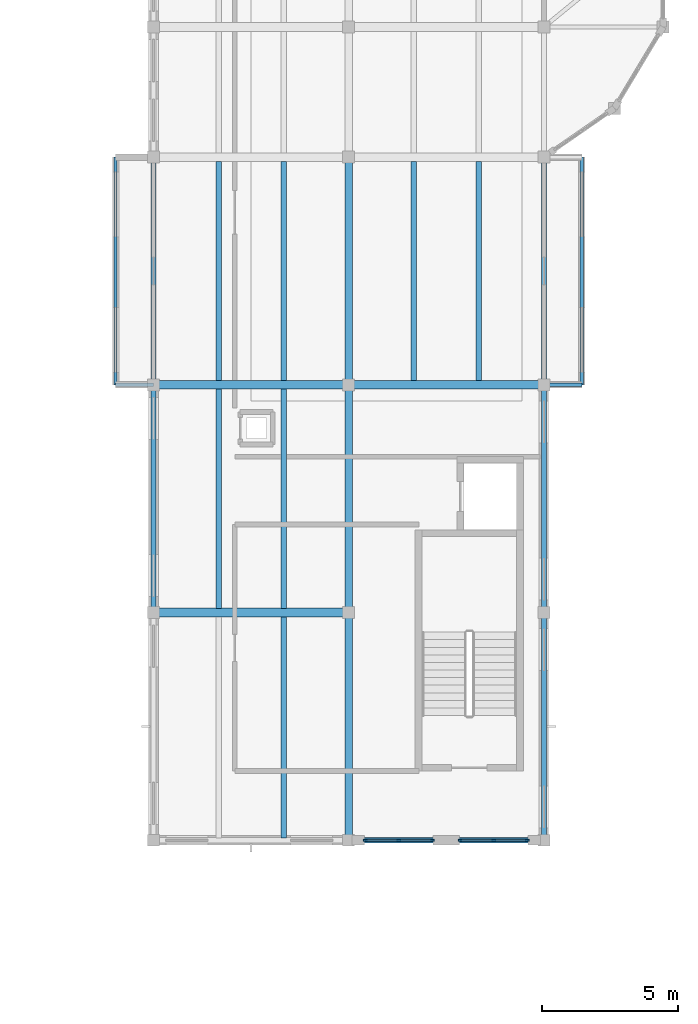
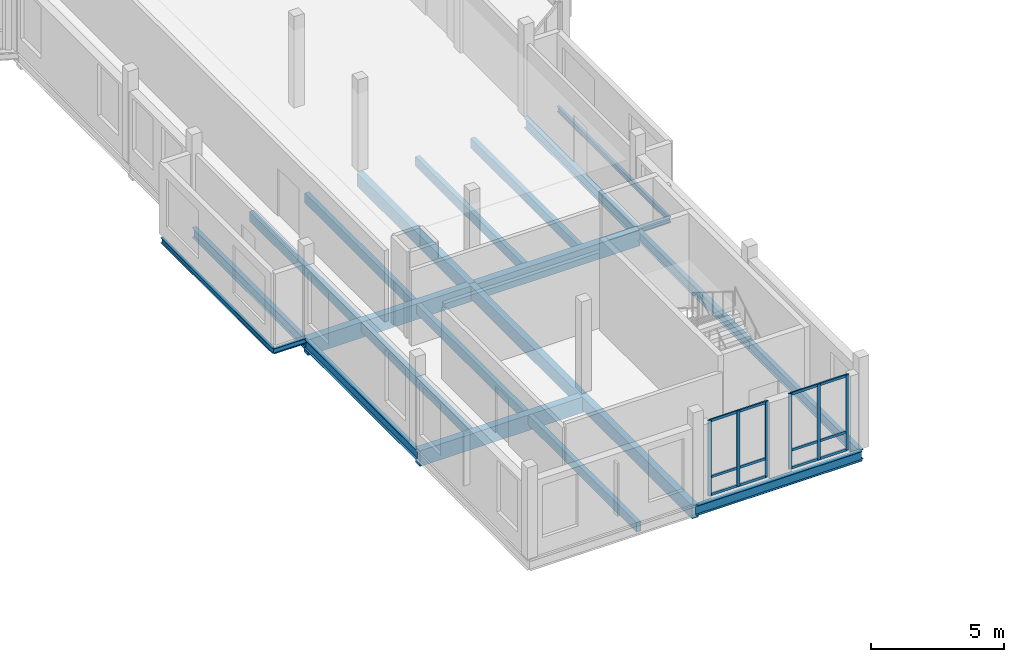
# One storey, part 18 of 81: 23 beams, 12 members, 2 elements without a shape of their own.
"""IFC4 building model written with IfcOpenShell, lengths in metres."""

import ifcopenshell
import ifcopenshell.guid

model = None  # the IFC model being written
_history = None  # IfcOwnerHistory: only IFC2X3 demands one
_inside = {}  # id of a spatial element -> (the spatial element, [elements in it])
_under = {}  # id of a project, library or spatial element -> (it, [spatial elements below it])
_declared = {}  # id of a project -> (the project, [libraries it declares])
_typed = {}  # id of a type object -> (the type object, [elements of that type])
_made_of = {}  # id of a material, layer set ... -> (it, [elements and type objects made of it])


def new_model(schema):
    """Start an empty IFC model of exactly this schema.

    Asked for "IFC4X3", IfcOpenShell would pick the latest addendum, in which some entities
    have other attributes; the version numbers below select the first issue.
    IFC2X3 requires an IfcOwnerHistory on every rooted entity: one is made here for all.
    """
    global model, _history
    if schema == "IFC4X3":
        model = ifcopenshell.file(schema_version=(4, 3, 0, 0))
    else:
        model = ifcopenshell.file(schema=schema)
    _inside.clear()
    _under.clear()
    _declared.clear()
    _typed.clear()
    _made_of.clear()
    _history = None
    if model.schema == "IFC2X3":
        org = make("IfcOrganization", Name="unknown")
        user = make(
            "IfcPersonAndOrganization",
            ThePerson=make("IfcPerson", FamilyName="unknown"),
            TheOrganization=org,
        )
        app = make(
            "IfcApplication",
            ApplicationDeveloper=org,
            Version="unknown",
            ApplicationFullName="unknown",
            ApplicationIdentifier="unknown",
        )
        _history = make(
            "IfcOwnerHistory",
            OwningUser=user,
            OwningApplication=app,
            ChangeAction="ADDED",
            CreationDate=0,
        )
    return model


def make(cls, **values):
    """One entity of the class cls with the attributes given. An attribute that is None is left unset."""
    return model.create_entity(
        cls, **{name: value for name, value in values.items() if value is not None}
    )


def rooted(cls, **values):
    """An entity with a GlobalId (a new one), such as an element, a storey or a relation."""
    return make(cls, GlobalId=ifcopenshell.guid.new(), OwnerHistory=_history, **values)


def si_unit(unit_type, name, prefix=None):
    """IfcSIUnit, for example si_unit("LENGTHUNIT", "METRE", prefix="MILLI")."""
    return make("IfcSIUnit", UnitType=unit_type, Prefix=prefix, Name=name)


def assignment(units):
    """IfcUnitAssignment: the units of a project."""
    return None if units is None else make("IfcUnitAssignment", Units=units)


def point(xyz):
    """IfcCartesianPoint."""
    return None if xyz is None else make("IfcCartesianPoint", Coordinates=xyz)


def direction(xyz):
    """IfcDirection."""
    return None if xyz is None else make("IfcDirection", DirectionRatios=xyz)


def frame(location, z_axis=None, x_axis=None):
    """IfcAxis2Placement3D, a coordinate frame: its origin and axes. An axis left out is left unset."""
    return make(
        "IfcAxis2Placement3D",
        Location=point(location),
        Axis=direction(z_axis),
        RefDirection=direction(x_axis),
    )


def frame_2d(location, x_axis=None):
    """IfcAxis2Placement2D, a coordinate frame in the plane: its origin and x axis."""
    return make(
        "IfcAxis2Placement2D", Location=point(location), RefDirection=direction(x_axis)
    )


def origin():
    """The frame at (0, 0, 0) with its axes left unset."""
    return frame((0.0, 0.0, 0.0))


def origin_2d():
    """The frame at (0, 0) in the plane with its x axis left unset."""
    return frame_2d((0.0, 0.0))


def place(relative_to, where):
    """IfcLocalPlacement: puts the frame where relative to a parent placement (None: the world)."""
    return make(
        "IfcLocalPlacement", PlacementRelTo=relative_to, RelativePlacement=where
    )


def context(
    kind, dimensions, precision=None, world=None, true_north=None, identifier=None
):
    """IfcGeometricRepresentationContext, for example the 3D "Model" context."""
    return make(
        "IfcGeometricRepresentationContext",
        ContextIdentifier=identifier,
        ContextType=kind,
        CoordinateSpaceDimension=dimensions,
        Precision=precision,
        WorldCoordinateSystem=world,
        TrueNorth=true_north,
    )


def subcontext(parent, identifier, kind, view, scale=None):
    """IfcGeometricRepresentationSubContext, for example "Body" below "Model"."""
    return make(
        "IfcGeometricRepresentationSubContext",
        ContextIdentifier=identifier,
        ContextType=kind,
        ParentContext=parent,
        TargetScale=scale,
        TargetView=view,
    )


def project(units=None, contexts=None):
    """IfcProject with its units and contexts."""
    return rooted(
        "IfcProject",
        Name="project",
        RepresentationContexts=contexts,
        UnitsInContext=assignment(units),
    )


def spatial(cls, under=None, at=None, **own):
    """A site, building, storey or space (cls), placed at a placement, below another one or the project."""
    s = rooted(cls, ObjectPlacement=at, **own)
    if under is not None:
        _under.setdefault(under.id(), (under, []))[1].append(s)
    return s


def profile(cls, at=None, kind="AREA", **sizes):
    """A parametric profile (cls). Its sizes go by their IFC names, for example OverallWidth=200.0."""
    return make(cls, ProfileType=kind, Position=at, **sizes)


def rectangle(**sizes):
    """IfcRectangleProfileDef."""
    return profile("IfcRectangleProfileDef", **sizes)


def i_section(**sizes):
    """IfcIShapeProfileDef."""
    return profile("IfcIShapeProfileDef", **sizes)


def extrude(swept, where, along, depth):
    """IfcExtrudedAreaSolid: the profile swept, set in the frame where, extruded along a direction by depth."""
    return make(
        "IfcExtrudedAreaSolid",
        SweptArea=swept,
        Position=where,
        ExtrudedDirection=direction(along),
        Depth=depth,
    )


def shape(context_of_items, identifier, shape_type, items):
    """IfcShapeRepresentation: the items that make up one representation, for example the "Body"."""
    return make(
        "IfcShapeRepresentation",
        ContextOfItems=context_of_items,
        RepresentationIdentifier=identifier,
        RepresentationType=shape_type,
        Items=items,
    )


def material(Name=None, Category=None):
    """IfcMaterial."""
    return make("IfcMaterial", Name=Name, Category=Category)


def material_profile(
    of_material, cross_section, Name=None, Category=None, Priority=None
):
    """IfcMaterialProfile: a cross section and its material."""
    return make(
        "IfcMaterialProfile",
        Name=Name,
        Material=of_material,
        Profile=cross_section,
        Priority=Priority,
        Category=Category,
    )


def profile_set(profiles, Name=None, composite=None):
    """IfcMaterialProfileSet."""
    return make(
        "IfcMaterialProfileSet",
        Name=Name,
        MaterialProfiles=profiles,
        CompositeProfile=composite,
    )


def made_of(thing, what):
    """Note that an element or type object is made of a material, layer set ...; save() writes the relation."""
    if what is not None:
        _made_of.setdefault(what.id(), (what, []))[1].append(thing)
    return thing


def type_object(cls, material=None, **own):
    """A type object (cls), such as IfcWallType, which elements share."""
    return made_of(rooted(cls, **own), material)


def element(
    cls,
    number,
    at=None,
    inside=None,
    cuts=None,
    type_object=None,
    material=None,
    context=None,
    identifier="Body",
    shape_type=None,
    held_by="IfcProductDefinitionShape",
    body=None,
    shapes=None,
    **own,
):
    """One element of the class cls, such as IfcWall. Its Tag is "e" and its number.

    at: its placement. inside: the storey or other place that contains it. cuts: it is an
    opening in that element (IfcRelVoidsElement). A single representation is given by context,
    identifier, shape_type and body (its items); several are given by shapes. held_by: the class
    of the entity that holds the representations. save() writes the other relations.
    """
    e = rooted(cls, Tag="e%d" % number, ObjectPlacement=at, **own)
    if body is not None:
        shapes = [shape(context, identifier, shape_type, body)]
    if shapes is not None:
        e.Representation = make(held_by, Representations=shapes)
    if inside is not None:
        _inside.setdefault(inside.id(), (inside, []))[1].append(e)
    if cuts is not None:
        rooted(
            "IfcRelVoidsElement", RelatingBuildingElement=cuts, RelatedOpeningElement=e
        )
    if type_object is not None:
        _typed.setdefault(type_object.id(), (type_object, []))[1].append(e)
    return made_of(e, material)


def aggregate(whole, parts):
    """IfcRelAggregates: a whole, such as a stair, and the parts it consists of."""
    return rooted("IfcRelAggregates", RelatingObject=whole, RelatedObjects=parts)


def save(model, path):
    """Write the relations noted so far, then the file.

    IfcRelAggregates (storeys below a building ...), IfcRelContainedInSpatialStructure (elements
    in a storey), IfcRelDefinesByType, IfcRelAssociatesMaterial and IfcRelDeclares: one each for
    every whole, place, type object, material and project.
    """
    for whole, parts in _under.values():
        aggregate(whole, parts)
    for where, things in _inside.values():
        rooted(
            "IfcRelContainedInSpatialStructure",
            RelatedElements=things,
            RelatingStructure=where,
        )
    for kind, things in _typed.values():
        rooted("IfcRelDefinesByType", RelatedObjects=things, RelatingType=kind)
    for what, things in _made_of.values():
        rooted("IfcRelAssociatesMaterial", RelatedObjects=things, RelatingMaterial=what)
    for by, libraries in _declared.values():
        rooted("IfcRelDeclares", RelatingContext=by, RelatedDefinitions=libraries)
    model.write(path)


model = new_model("IFC4")

# Units and contexts
model_context = context("Model", 3, precision=1e-05, world=origin(), true_north=direction((0.0, 1.0)))
body_context = subcontext(model_context, "Body", "Model", "MODEL_VIEW")
ifc_project = project(units=[si_unit("LENGTHUNIT", "METRE"), si_unit("AREAUNIT", "SQUARE_METRE"), si_unit("VOLUMEUNIT", "CUBIC_METRE"), si_unit("PLANEANGLEUNIT", "RADIAN"), si_unit("MASSUNIT", "GRAM", prefix="KILO")], contexts=[model_context])

# Site, building, storey
site_placement = place(None, origin())
site = spatial("IfcSite", under=ifc_project, at=site_placement, CompositionType="ELEMENT")
building_placement = place(site_placement, origin())
building = spatial("IfcBuilding", under=site, at=building_placement, Name="Kahlenmark Community Centre", CompositionType="ELEMENT")
storey_placement = place(building_placement, frame((0.0, 0.0, 9.60009765625)))
storey = spatial("IfcBuildingStorey", under=building, at=storey_placement, Name="L02", CompositionType="ELEMENT", Elevation=9.60009765625)

# Beams
ifc_material_1 = material(Name="Glulam GL32h", Category="wood")
ifc_material_profile_1 = material_profile(ifc_material_1, rectangle(XDim=0.280029296875, YDim=0.60009765625, at=origin_2d()), Name="GL32h 280x600")
ifc_profile_set_1 = profile_set([ifc_material_profile_1], Name="Glulam GL32h")
beam_type_1 = type_object("IfcBeamType", Name="BT-BEAM-GL32h280x600", PredefinedType="BEAM", material=ifc_profile_set_1)
beam_1_placement = place(storey_placement, frame((79.60009765625, 50.800048828125, -0.52001953125), z_axis=(0.0, 1.0, 0.0), x_axis=(-1.0, 0.0, 0.0)))
element("IfcBeam", 1, at=beam_1_placement, inside=storey, type_object=beam_type_1, Name="L02 beam BG-GL32h280x600", PredefinedType="BEAM", context=body_context, shape_type="SweptSolid", body=[
    extrude(rectangle(XDim=0.280029296875, YDim=0.60009765625, at=origin_2d()), origin(), (0.0, 0.0, 1.0), 8.39990234375),
])
beam_2_placement = place(storey_placement, frame((79.60009765625, 59.199951171875, -0.52001953125), z_axis=(0.0, 1.0, 0.0), x_axis=(-1.0, 0.0, 0.0)))
element("IfcBeam", 2, at=beam_2_placement, inside=storey, type_object=beam_type_1, Name="L02 beam BG-GL32h280x600", PredefinedType="BEAM", context=body_context, shape_type="SweptSolid", body=[
    extrude(rectangle(XDim=0.280029296875, YDim=0.60009765625, at=origin_2d()), origin(), (0.0, 0.0, 1.0), 8.400146484375),
])
beam_3_placement = place(storey_placement, frame((79.60009765625, 67.60009765625, -0.52001953125), z_axis=(0.0, 1.0, 0.0), x_axis=(-1.0, 0.0, 0.0)))
element("IfcBeam", 3, at=beam_3_placement, inside=storey, type_object=beam_type_1, Name="L02 beam BG-GL32h280x600", PredefinedType="BEAM", context=body_context, shape_type="SweptSolid", body=[
    extrude(rectangle(XDim=0.280029296875, YDim=0.60009765625, at=origin_2d()), origin(), (0.0, 0.0, 1.0), 8.39990234375),
])
ifc_material_profile_2 = material_profile(ifc_material_1, rectangle(XDim=0.320068359375, YDim=0.719970703125, at=origin_2d()), Name="GL32h 320x720")
ifc_profile_set_2 = profile_set([ifc_material_profile_2], Name="Glulam GL32h")
beam_type_2 = type_object("IfcBeamType", Name="BT-BEAM-GL32h320x720", PredefinedType="BEAM", material=ifc_profile_set_2)
for number, where, z_axis, x_axis, name in (
    (4, (72.39990234375, 59.199951171875, -0.580078125), (1.0, 0.0, 0.0), (0.0, 1.0, 0.0), "L02 beam BG-GL32h320x720"),
    (5, (72.39990234375, 67.60009765625, -0.580078125), (1.0, 0.0, 0.0), (0.0, 1.0, 0.0), "L02 beam BG-GL32h320x720"),
):
    element("IfcBeam", number, at=place(storey_placement, frame(where, z_axis=z_axis, x_axis=x_axis)), inside=storey, type_object=beam_type_2, Name=name, PredefinedType="BEAM", context=body_context, shape_type="SweptSolid", body=[
        extrude(rectangle(XDim=0.320068359375, YDim=0.719970703125, at=origin_2d()), origin(), (0.0, 0.0, 1.0), 7.2001953125),
    ])
beam_4_placement = place(storey_placement, frame((79.60009765625, 67.60009765625, -0.580078125), z_axis=(1.0, 0.0, 0.0), x_axis=(0.0, 1.0, 0.0)))
element("IfcBeam", 6, at=beam_4_placement, inside=storey, type_object=beam_type_2, Name="L02 beam BG-GL32h320x720", PredefinedType="BEAM", context=body_context, shape_type="SweptSolid", body=[
    extrude(rectangle(XDim=0.320068359375, YDim=0.719970703125, at=origin_2d()), origin(), (0.0, 0.0, 1.0), 7.199951171875),
])
ifc_material_2 = material(Name="Steel S355", Category="steel")
ifc_material_profile_3 = material_profile(ifc_material_2, i_section(OverallWidth=0.1201171875, OverallDepth=0.239990234375, WebThickness=0.006103515625, FlangeThickness=0.009765625, at=origin_2d()), Name="IPE 240")
ifc_profile_set_3 = profile_set([ifc_material_profile_3], Name="Steel S355")
beam_type_3 = type_object("IfcBeamType", Name="BT-BEAM-IPE240", PredefinedType="BEAM", material=ifc_profile_set_3)
for number, where, z_axis, x_axis, name in (
    (7, (86.800048828125, 67.60009765625, -0.320068359375), (1.0, 0.0, 0.0), (0.0, 1.0, 0.0), "L02 beam BG-IPE240"),
    (8, (71.0, 67.60009765625, -0.320068359375), (1.0, 0.0, 0.0), (0.0, 1.0, 0.0), "L02 beam BG-IPE240"),
):
    element("IfcBeam", number, at=place(storey_placement, frame(where, z_axis=z_axis, x_axis=x_axis)), inside=storey, type_object=beam_type_3, Name=name, PredefinedType="BEAM", context=body_context, shape_type="SweptSolid", body=[
        extrude(i_section(OverallWidth=0.1201171875, OverallDepth=0.239990234375, WebThickness=0.006103515625, FlangeThickness=0.009765625, at=origin_2d()), origin(), (0.0, 0.0, 1.0), 1.39990234375),
    ])
ifc_material_3 = material(Name="Glulam GL28h", Category="wood")
ifc_material_profile_4 = material_profile(ifc_material_3, rectangle(XDim=0.199951171875, YDim=0.43994140625, at=origin_2d()), Name="GL28h 200x440")
ifc_profile_set_4 = profile_set([ifc_material_profile_4], Name="Glulam GL28h")
beam_type_4 = type_object("IfcBeamType", Name="BT-JOIST-GL28h200x440", PredefinedType="JOIST", material=ifc_profile_set_4)
beam_5_placement = place(storey_placement, frame((77.199951171875, 50.89306640625, -0.440185546875), z_axis=(0.0, 1.0, 0.0), x_axis=(-1.0, 0.0, 0.0)))
element("IfcBeam", 9, at=beam_5_placement, inside=storey, type_object=beam_type_4, Name="L02 joist BJ-GL28h200x440", PredefinedType="JOIST", context=body_context, shape_type="SweptSolid", body=[
    extrude(rectangle(XDim=0.199951171875, YDim=0.43994140625, at=origin_2d()), origin(), (0.0, 0.0, 1.0), 8.14892578125),
])
for number, where, z_axis, x_axis, name in (
    (10, (74.800048828125, 59.35791015625, -0.440185546875), (0.0, 1.0, 0.0), (-1.0, 0.0, 0.0), "L02 joist BJ-GL28h200x440"),
    (11, (77.199951171875, 59.35791015625, -0.440185546875), (0.0, 1.0, 0.0), (-1.0, 0.0, 0.0), "L02 joist BJ-GL28h200x440"),
    (12, (74.800048828125, 67.758056640625, -0.440185546875), (0.0, 1.0, 0.0), (-1.0, 0.0, 0.0), "L02 joist BJ-GL28h200x440"),
    (13, (77.199951171875, 67.758056640625, -0.440185546875), (0.0, 1.0, 0.0), (-1.0, 0.0, 0.0), "L02 joist BJ-GL28h200x440"),
    (14, (82.0, 67.758056640625, -0.440185546875), (0.0, 1.0, 0.0), (-1.0, 0.0, 0.0), "L02 joist BJ-GL28h200x440"),
    (15, (84.39990234375, 67.758056640625, -0.440185546875), (0.0, 1.0, 0.0), (-1.0, 0.0, 0.0), "L02 joist BJ-GL28h200x440"),
):
    element("IfcBeam", number, at=place(storey_placement, frame(where, z_axis=z_axis, x_axis=x_axis)), inside=storey, type_object=beam_type_4, Name=name, PredefinedType="JOIST", context=body_context, shape_type="SweptSolid", body=[
        extrude(rectangle(XDim=0.199951171875, YDim=0.43994140625, at=origin_2d()), origin(), (0.0, 0.0, 1.0), 8.083984375),
    ])
ifc_material_profile_5 = material_profile(ifc_material_2, i_section(OverallWidth=0.1201171875, OverallDepth=0.239990234375, WebThickness=0.006103515625, FlangeThickness=0.009765625, at=origin_2d()), Name="IPE 240")
ifc_profile_set_5 = profile_set([ifc_material_profile_5], Name="Steel S355")
beam_type_5 = type_object("IfcBeamType", Name="BT-SPANDREL-IPE240", PredefinedType="SPANDREL", material=ifc_profile_set_5)
for number, where, z_axis, x_axis, name in (
    (16, (88.199951171875, 67.60009765625, -0.320068359375), (0.0, 1.0, 0.0), (-1.0, 0.0, 0.0), "L02 spandrel SP-IPE240"),
    (17, (71.0, 67.60009765625, -0.320068359375), (0.0, 1.0, 0.0), (-1.0, 0.0, 0.0), "L02 spandrel SP-IPE240"),
):
    element("IfcBeam", number, at=place(storey_placement, frame(where, z_axis=z_axis, x_axis=x_axis)), inside=storey, type_object=beam_type_5, Name=name, PredefinedType="SPANDREL", context=body_context, shape_type="SweptSolid", body=[
        extrude(i_section(OverallWidth=0.1201171875, OverallDepth=0.239990234375, WebThickness=0.006103515625, FlangeThickness=0.009765625, at=origin_2d()), origin(), (0.0, 0.0, 1.0), 8.39990234375),
    ])
ifc_material_profile_6 = material_profile(ifc_material_2, i_section(OverallWidth=0.18994140625, OverallDepth=0.449951171875, WebThickness=0.009521484375, FlangeThickness=0.0146484375, at=origin_2d()), Name="IPE 450")
ifc_profile_set_6 = profile_set([ifc_material_profile_6], Name="Steel S355")
beam_type_6 = type_object("IfcBeamType", Name="BT-SPANDREL-IPE450", PredefinedType="SPANDREL", material=ifc_profile_set_6)
beam_6_placement = place(storey_placement, frame((79.60009765625, 50.800048828125, -0.445068359375), z_axis=(1.0, 0.0, 0.0), x_axis=(0.0, 1.0, 0.0)))
element("IfcBeam", 18, at=beam_6_placement, inside=storey, type_object=beam_type_6, Name="L02 spandrel SP-IPE450", PredefinedType="SPANDREL", context=body_context, shape_type="SweptSolid", body=[
    extrude(i_section(OverallWidth=0.18994140625, OverallDepth=0.449951171875, WebThickness=0.009521484375, FlangeThickness=0.0146484375, at=origin_2d()), origin(), (0.0, 0.0, 1.0), 7.199951171875),
])
beam_7_placement = place(storey_placement, frame((72.39990234375, 59.199951171875, -0.445068359375), z_axis=(0.0, 1.0, 0.0), x_axis=(-1.0, 0.0, 0.0)))
element("IfcBeam", 19, at=beam_7_placement, inside=storey, type_object=beam_type_6, Name="L02 spandrel SP-IPE450", PredefinedType="SPANDREL", context=body_context, shape_type="SweptSolid", body=[
    extrude(i_section(OverallWidth=0.18994140625, OverallDepth=0.449951171875, WebThickness=0.009521484375, FlangeThickness=0.0146484375, at=origin_2d()), origin(), (0.0, 0.0, 1.0), 8.400146484375),
])
for number, where, z_axis, x_axis, name in (
    (20, (72.39990234375, 67.60009765625, -0.445068359375), (0.0, 1.0, 0.0), (-1.0, 0.0, 0.0), "L02 spandrel SP-IPE450"),
    (21, (86.800048828125, 50.800048828125, -0.445068359375), (0.0, 1.0, 0.0), (-1.0, 0.0, 0.0), "L02 spandrel SP-IPE450"),
):
    element("IfcBeam", number, at=place(storey_placement, frame(where, z_axis=z_axis, x_axis=x_axis)), inside=storey, type_object=beam_type_6, Name=name, PredefinedType="SPANDREL", context=body_context, shape_type="SweptSolid", body=[
        extrude(i_section(OverallWidth=0.18994140625, OverallDepth=0.449951171875, WebThickness=0.009521484375, FlangeThickness=0.0146484375, at=origin_2d()), origin(), (0.0, 0.0, 1.0), 8.39990234375),
    ])
beam_8_placement = place(storey_placement, frame((86.800048828125, 59.199951171875, -0.445068359375), z_axis=(0.0, 1.0, 0.0), x_axis=(-1.0, 0.0, 0.0)))
element("IfcBeam", 22, at=beam_8_placement, inside=storey, type_object=beam_type_6, Name="L02 spandrel SP-IPE450", PredefinedType="SPANDREL", context=body_context, shape_type="SweptSolid", body=[
    extrude(i_section(OverallWidth=0.18994140625, OverallDepth=0.449951171875, WebThickness=0.009521484375, FlangeThickness=0.0146484375, at=origin_2d()), origin(), (0.0, 0.0, 1.0), 8.400146484375),
])
beam_9_placement = place(storey_placement, frame((86.800048828125, 67.60009765625, -0.445068359375), z_axis=(0.0, 1.0, 0.0), x_axis=(-1.0, 0.0, 0.0)))
element("IfcBeam", 23, at=beam_9_placement, inside=storey, type_object=beam_type_6, Name="L02 spandrel SP-IPE450", PredefinedType="SPANDREL", context=body_context, shape_type="SweptSolid", body=[
    extrude(i_section(OverallWidth=0.18994140625, OverallDepth=0.449951171875, WebThickness=0.009521484375, FlangeThickness=0.0146484375, at=origin_2d()), origin(), (0.0, 0.0, 1.0), 8.39990234375),
])

# Curtain wall, members
ifc_material_4 = material(Name="Anodised aluminium unitised curtain wall", Category="aluminium")
curtain_wall_type = type_object("IfcCurtainWallType", Name="CWT-UNIT-254X347", PredefinedType="USERDEFINED", material=ifc_material_4)
curtain_wall_1_placement = place(storey_placement, origin())
curtain_wall_1 = element("IfcCurtainWall", 24, at=curtain_wall_1_placement, inside=storey, type_object=curtain_wall_type, Name="Unitised curtain wall CW-099", ObjectType="UNITISED CURTAIN WALL", PredefinedType="USERDEFINED")
ifc_material_5 = material(Name="Anodised aluminium 6063-T6", Category="aluminium")
ifc_material_profile_7 = material_profile(ifc_material_5, rectangle(XDim=0.06005859375, YDim=0.139892578125, at=origin_2d()), Name="ALU MULLION 60x140")
ifc_profile_set_7 = profile_set([ifc_material_profile_7], Name="Anodised aluminium 6063-T6")
member_type_1 = type_object("IfcMemberType", Name="MT-MUL-140", PredefinedType="MULLION", material=ifc_profile_set_7)
member_1_placement = place(storey_placement, frame((80.2099609375, 50.800048828125, 0.0), z_axis=(0.0, 0.0, 1.0), x_axis=(0.0, 1.0, 0.0)))
member_1 = element("IfcMember", 25, at=member_1_placement, type_object=member_type_1, Name="CW-099 mullion 1", PredefinedType="MULLION", context=body_context, shape_type="SweptSolid", body=[
    extrude(rectangle(XDim=0.06005859375, YDim=0.139892578125, at=origin_2d()), origin(), (0.0, 0.0, 1.0), 3.469970703125),
])
member_2_placement = place(storey_placement, frame((81.449951171875, 50.800048828125, 0.0), z_axis=(0.0, 0.0, 1.0), x_axis=(0.0, 1.0, 0.0)))
member_2 = element("IfcMember", 26, at=member_2_placement, type_object=member_type_1, Name="CW-099 mullion 2", PredefinedType="MULLION", context=body_context, shape_type="SweptSolid", body=[
    extrude(rectangle(XDim=0.06005859375, YDim=0.139892578125, at=origin_2d()), origin(), (0.0, 0.0, 1.0), 3.469970703125),
])
member_3_placement = place(storey_placement, frame((82.68994140625, 50.800048828125, 0.0), z_axis=(0.0, 0.0, 1.0), x_axis=(0.0, 1.0, 0.0)))
member_3 = element("IfcMember", 27, at=member_3_placement, type_object=member_type_1, Name="CW-099 mullion 3", PredefinedType="MULLION", context=body_context, shape_type="SweptSolid", body=[
    extrude(rectangle(XDim=0.06005859375, YDim=0.139892578125, at=origin_2d()), origin(), (0.0, 0.0, 1.0), 3.469970703125),
])

curtain_wall_2_placement = place(storey_placement, origin())
curtain_wall_2 = element("IfcCurtainWall", 28, at=curtain_wall_2_placement, inside=storey, type_object=curtain_wall_type, Name="Unitised curtain wall CW-100", ObjectType="UNITISED CURTAIN WALL", PredefinedType="USERDEFINED")
member_4_placement = place(storey_placement, frame((83.7099609375, 50.800048828125, 0.0), z_axis=(0.0, 0.0, 1.0), x_axis=(0.0, 1.0, 0.0)))
member_4 = element("IfcMember", 29, at=member_4_placement, type_object=member_type_1, Name="CW-100 mullion 1", PredefinedType="MULLION", context=body_context, shape_type="SweptSolid", body=[
    extrude(rectangle(XDim=0.06005859375, YDim=0.139892578125, at=origin_2d()), origin(), (0.0, 0.0, 1.0), 3.469970703125),
])
member_5_placement = place(storey_placement, frame((84.949951171875, 50.800048828125, 0.0), z_axis=(0.0, 0.0, 1.0), x_axis=(0.0, 1.0, 0.0)))
member_5 = element("IfcMember", 30, at=member_5_placement, type_object=member_type_1, Name="CW-100 mullion 2", PredefinedType="MULLION", context=body_context, shape_type="SweptSolid", body=[
    extrude(rectangle(XDim=0.06005859375, YDim=0.139892578125, at=origin_2d()), origin(), (0.0, 0.0, 1.0), 3.469970703125),
])
member_6_placement = place(storey_placement, frame((86.18994140625, 50.800048828125, 0.0), z_axis=(0.0, 0.0, 1.0), x_axis=(0.0, 1.0, 0.0)))
member_6 = element("IfcMember", 31, at=member_6_placement, type_object=member_type_1, Name="CW-100 mullion 3", PredefinedType="MULLION", context=body_context, shape_type="SweptSolid", body=[
    extrude(rectangle(XDim=0.06005859375, YDim=0.139892578125, at=origin_2d()), origin(), (0.0, 0.0, 1.0), 3.469970703125),
])

# Member
ifc_material_profile_8 = material_profile(ifc_material_5, rectangle(XDim=0.06005859375, YDim=0.1201171875, at=origin_2d()), Name="ALU TRANSOM 60x120")
ifc_profile_set_8 = profile_set([ifc_material_profile_8], Name="Anodised aluminium 6063-T6")
member_type_2 = type_object("IfcMemberType", Name="MT-TRN-120", PredefinedType="USERDEFINED", material=ifc_profile_set_8)
member_7_placement = place(storey_placement, frame((80.2099609375, 50.800048828125, 0.039794921875), z_axis=(1.0, 0.0, 0.0), x_axis=(0.0, 1.0, 0.0)))
member_7 = element("IfcMember", 32, at=member_7_placement, type_object=member_type_2, Name="CW-099 transom 1", ObjectType="TRANSOM", PredefinedType="USERDEFINED", context=body_context, shape_type="SweptSolid", body=[
    extrude(rectangle(XDim=0.06005859375, YDim=0.1201171875, at=origin_2d()), origin(), (0.0, 0.0, 1.0), 2.47998046875),
])

member_8_placement = place(storey_placement, frame((80.2099609375, 50.800048828125, 0.849853515625), z_axis=(1.0, 0.0, 0.0), x_axis=(0.0, 1.0, 0.0)))
member_8 = element("IfcMember", 33, at=member_8_placement, type_object=member_type_2, Name="CW-099 transom 2", ObjectType="TRANSOM", PredefinedType="USERDEFINED", context=body_context, shape_type="SweptSolid", body=[
    extrude(rectangle(XDim=0.06005859375, YDim=0.1201171875, at=origin_2d()), origin(), (0.0, 0.0, 1.0), 2.47998046875),
])

member_9_placement = place(storey_placement, frame((80.2099609375, 50.800048828125, 3.429931640625), z_axis=(1.0, 0.0, 0.0), x_axis=(0.0, 1.0, 0.0)))
member_9 = element("IfcMember", 34, at=member_9_placement, type_object=member_type_2, Name="CW-099 transom 3", ObjectType="TRANSOM", PredefinedType="USERDEFINED", context=body_context, shape_type="SweptSolid", body=[
    extrude(rectangle(XDim=0.06005859375, YDim=0.1201171875, at=origin_2d()), origin(), (0.0, 0.0, 1.0), 2.47998046875),
])

aggregate(curtain_wall_1, [member_1, member_2, member_3, member_7, member_8, member_9])

member_10_placement = place(storey_placement, frame((83.7099609375, 50.800048828125, 0.039794921875), z_axis=(1.0, 0.0, 0.0), x_axis=(0.0, 1.0, 0.0)))
member_10 = element("IfcMember", 35, at=member_10_placement, type_object=member_type_2, Name="CW-100 transom 1", ObjectType="TRANSOM", PredefinedType="USERDEFINED", context=body_context, shape_type="SweptSolid", body=[
    extrude(rectangle(XDim=0.06005859375, YDim=0.1201171875, at=origin_2d()), origin(), (0.0, 0.0, 1.0), 2.47998046875),
])

member_11_placement = place(storey_placement, frame((83.7099609375, 50.800048828125, 0.849853515625), z_axis=(1.0, 0.0, 0.0), x_axis=(0.0, 1.0, 0.0)))
member_11 = element("IfcMember", 36, at=member_11_placement, type_object=member_type_2, Name="CW-100 transom 2", ObjectType="TRANSOM", PredefinedType="USERDEFINED", context=body_context, shape_type="SweptSolid", body=[
    extrude(rectangle(XDim=0.06005859375, YDim=0.1201171875, at=origin_2d()), origin(), (0.0, 0.0, 1.0), 2.47998046875),
])

member_12_placement = place(storey_placement, frame((83.7099609375, 50.800048828125, 3.429931640625), z_axis=(1.0, 0.0, 0.0), x_axis=(0.0, 1.0, 0.0)))
member_12 = element("IfcMember", 37, at=member_12_placement, type_object=member_type_2, Name="CW-100 transom 3", ObjectType="TRANSOM", PredefinedType="USERDEFINED", context=body_context, shape_type="SweptSolid", body=[
    extrude(rectangle(XDim=0.06005859375, YDim=0.1201171875, at=origin_2d()), origin(), (0.0, 0.0, 1.0), 2.47998046875),
])

aggregate(curtain_wall_2, [member_4, member_5, member_6, member_10, member_11, member_12])

save(model, "model.ifc")
